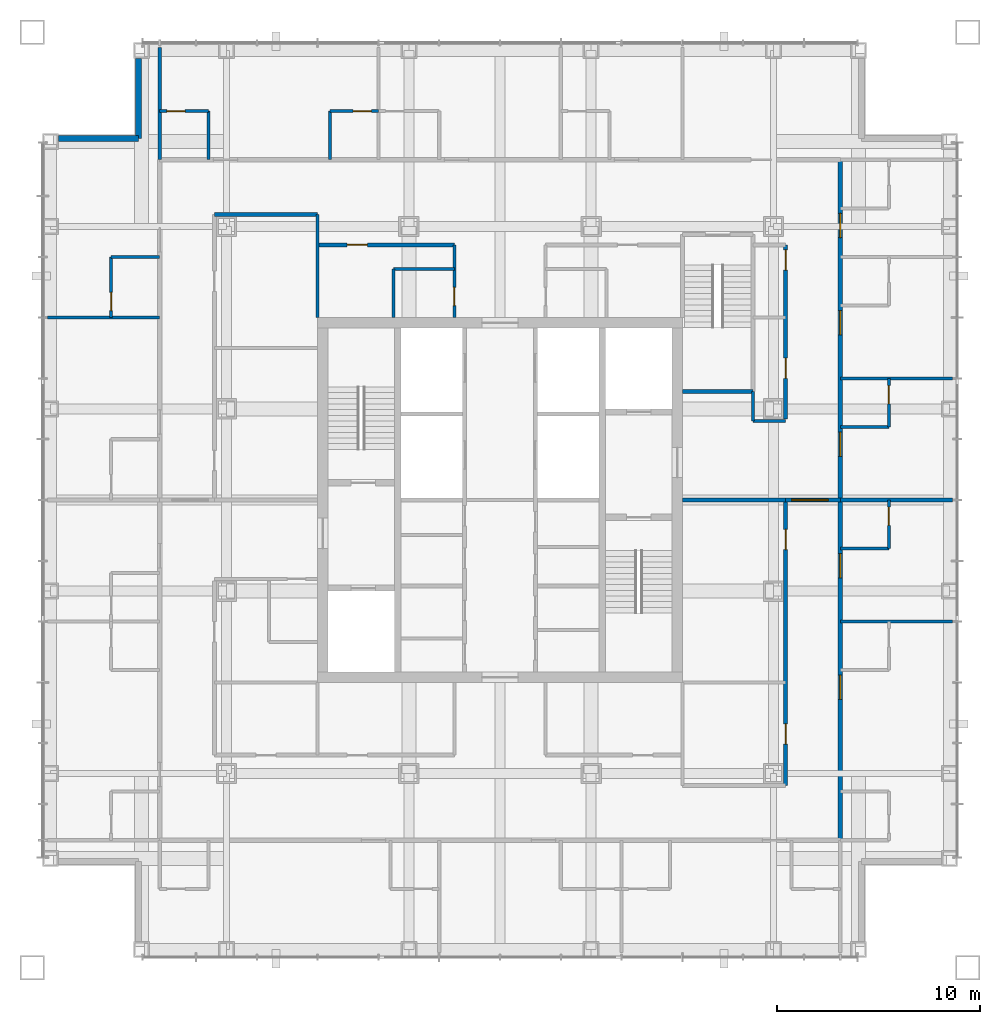
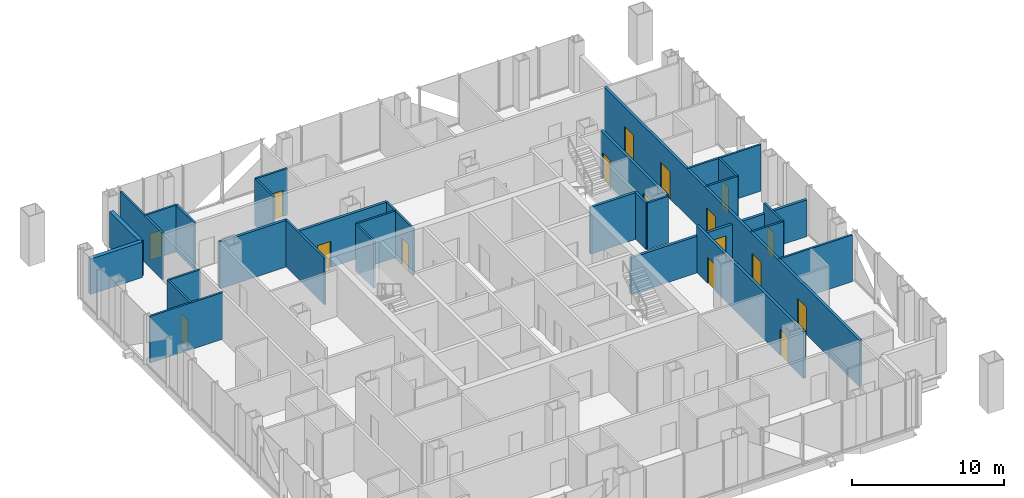
# One storey, part 10 of 17: 31 walls, 17 doors, 17 openings.
"""IFC4 building model written with IfcOpenShell, lengths in metres."""

from ifc_helpers import new_model, si_unit, direction, frame, frame_2d, origin, place, context, subcontext, project, spatial, rectangle, extrude, material, layer, layer_set, type_object, element, fill, save


model = new_model("IFC4")

# Units and contexts
model_context = context("Model", 3, precision=1e-05, world=origin(), true_north=direction((0.0, 1.0)))
body_context = subcontext(model_context, "Body", "Model", "MODEL_VIEW")
ifc_project = project(units=[si_unit("LENGTHUNIT", "METRE"), si_unit("AREAUNIT", "SQUARE_METRE"), si_unit("VOLUMEUNIT", "CUBIC_METRE"), si_unit("PLANEANGLEUNIT", "RADIAN"), si_unit("MASSUNIT", "GRAM", prefix="KILO")], contexts=[model_context])

# Site, building, storey
site_placement = place(None, origin())
site = spatial("IfcSite", under=ifc_project, at=site_placement, CompositionType="ELEMENT")
building_placement = place(site_placement, origin())
building = spatial("IfcBuilding", under=site, at=building_placement, Name="Malebo Sky Hospital", CompositionType="ELEMENT")
storey_placement = place(building_placement, frame((0.0, 0.0, 185.0)))
storey = spatial("IfcBuildingStorey", under=building, at=storey_placement, Name="L44", CompositionType="ELEMENT", Elevation=185.0)

# Wall
ifc_material_1 = material(Name="Gypsum board on steel studs", Category="steel")
ifc_layer_1 = layer(ifc_material_1, 0.199951171875)
ifc_layer_set_1 = layer_set([ifc_layer_1], Name="CORRIDOR WALL 200")
wall_type_1 = type_object("IfcWallType", Name="CORRIDOR WALL 200", PredefinedType="PARTITIONING", material=ifc_layer_set_1)
wall_1_placement = place(storey_placement, frame((45.89990234375, 76.10009765625, 0.0), z_axis=(0.0, 0.0, 1.0), x_axis=(1.0, 0.0, 0.0)))
element("IfcWall", 1, at=wall_1_placement, inside=storey, type_object=wall_type_1, Name="Corridor Wall 200 NCIK", PredefinedType="PARTITIONING", context=body_context, shape_type="SweptSolid", body=[
    extrude(rectangle(XDim=5.10009765625, YDim=0.199951171875, at=frame_2d((2.550048828125, 0.0))), origin(), (0.0, 0.0, 1.0), 3.75),
])

# Wall, opening, door
wall_2_placement = place(storey_placement, frame((51.0, 74.60009765625, 0.0), z_axis=(0.0, 0.0, 1.0), x_axis=(1.0, 0.0, 0.0)))
wall_2 = element("IfcWall", 2, at=wall_2_placement, inside=storey, type_object=wall_type_1, Name="Corridor Wall 200 NCI1", PredefinedType="PARTITIONING", context=body_context, shape_type="SweptSolid", body=[
    extrude(rectangle(XDim=6.75, YDim=0.199951171875, at=frame_2d((3.375, 0.0))), origin(), (0.0, 0.0, 1.0), 3.75),
])
opening_1_placement = place(wall_2_placement, frame((1.449951171875, 0.0, 0.0)))
opening_1 = element("IfcOpeningElement", 3, at=opening_1_placement, cuts=wall_2, Name="Opening D03", PredefinedType="OPENING", context=body_context, shape_type="SweptSolid", body=[
    extrude(rectangle(XDim=1.0, YDim=2.10009765625, at=frame_2d((0.5, 1.050048828125))), frame((0.0, 0.10986328125, 0.0), z_axis=(0.0, -1.0, 0.0), x_axis=(1.0, 0.0, 0.0)), (0.0, 0.0, 1.0), 0.219970703125),
])
ifc_material_2 = material(Name="Hardwood-faced door leaf in steel frame", Category="steel")
door_type_1 = type_object("IfcDoorType", Name="ROOM DOOR 1000", OperationType="SINGLE_SWING_LEFT", PredefinedType="DOOR", material=ifc_material_2)
door_1_placement = place(opening_1_placement, origin())
door_1 = element("IfcDoor", 4, at=door_1_placement, inside=storey, type_object=door_type_1, Name="Clean utility room door", OperationType="SINGLE_SWING_LEFT", OverallHeight=2.10009765625, OverallWidth=1.0, PredefinedType="DOOR", context=body_context, shape_type="SweptSolid", body=[
    extrude(rectangle(XDim=1.0, YDim=2.10009765625, at=frame_2d((0.5, 1.050048828125))), frame((0.0, 0.02490234375, 0.0), z_axis=(0.0, -1.0, 0.0), x_axis=(1.0, 0.0, 0.0)), (0.0, 0.0, 1.0), 0.050048828125),
])
fill(opening_1, door_1)

# Wall, openings, doors
wall_3_placement = place(storey_placement, frame((76.800048828125, 78.800048828125, 0.0), z_axis=(0.0, 0.0, 1.0), x_axis=(0.0, -1.0, 0.0)))
wall_3 = element("IfcWall", 5, at=wall_3_placement, inside=storey, type_object=wall_type_1, Name="Corridor Wall 200 ECO", PredefinedType="PARTITIONING", context=body_context, shape_type="SweptSolid", body=[
    extrude(rectangle(XDim=33.60009765625, YDim=0.199951171875, at=frame_2d((16.800048828125, 0.0))), origin(), (0.0, 0.0, 1.0), 3.75),
])
opening_2_placement = place(wall_3_placement, frame((2.64990234375, 0.0, 0.0)))
opening_2 = element("IfcOpeningElement", 6, at=opening_2_placement, cuts=wall_3, Name="Opening D01", PredefinedType="OPENING", context=body_context, shape_type="SweptSolid", body=[
    extrude(rectangle(XDim=1.199951171875, YDim=2.199951171875, at=frame_2d((0.60009765625, 1.10009765625))), frame((0.0, 0.10986328125, 0.0), z_axis=(0.0, -1.0, 0.0), x_axis=(1.0, 0.0, 0.0)), (0.0, 0.0, 1.0), 0.219970703125),
])
opening_3_placement = place(wall_3_placement, frame((7.449951171875, 0.0, 0.0)))
opening_3 = element("IfcOpeningElement", 7, at=opening_3_placement, cuts=wall_3, Name="Opening D01", PredefinedType="OPENING", context=body_context, shape_type="SweptSolid", body=[
    extrude(rectangle(XDim=1.199951171875, YDim=2.199951171875, at=frame_2d((0.60009765625, 1.10009765625))), frame((0.0, 0.10986328125, 0.0), z_axis=(0.0, -1.0, 0.0), x_axis=(1.0, 0.0, 0.0)), (0.0, 0.0, 1.0), 0.219970703125),
])
opening_4_placement = place(wall_3_placement, frame((13.449951171875, 0.0, 0.0)))
opening_4 = element("IfcOpeningElement", 8, at=opening_4_placement, cuts=wall_3, Name="Opening D01", PredefinedType="OPENING", context=body_context, shape_type="SweptSolid", body=[
    extrude(rectangle(XDim=1.199951171875, YDim=2.199951171875, at=frame_2d((0.60009765625, 1.10009765625))), frame((0.0, 0.10986328125, 0.0), z_axis=(0.0, -1.0, 0.0), x_axis=(1.0, 0.0, 0.0)), (0.0, 0.0, 1.0), 0.219970703125),
])
opening_5_placement = place(wall_3_placement, frame((19.449951171875, 0.0, 0.0)))
opening_5 = element("IfcOpeningElement", 9, at=opening_5_placement, cuts=wall_3, Name="Opening D01", PredefinedType="OPENING", context=body_context, shape_type="SweptSolid", body=[
    extrude(rectangle(XDim=1.199951171875, YDim=2.199951171875, at=frame_2d((0.60009765625, 1.10009765625))), frame((0.0, 0.10986328125, 0.0), z_axis=(0.0, -1.0, 0.0), x_axis=(1.0, 0.0, 0.0)), (0.0, 0.0, 1.0), 0.219970703125),
])
opening_6_placement = place(wall_3_placement, frame((25.449951171875, 0.0, 0.0)))
opening_6 = element("IfcOpeningElement", 10, at=opening_6_placement, cuts=wall_3, Name="Opening D01", PredefinedType="OPENING", context=body_context, shape_type="SweptSolid", body=[
    extrude(rectangle(XDim=1.199951171875, YDim=2.199951171875, at=frame_2d((0.60009765625, 1.10009765625))), frame((0.0, 0.10986328125, 0.0), z_axis=(0.0, -1.0, 0.0), x_axis=(1.0, 0.0, 0.0)), (0.0, 0.0, 1.0), 0.219970703125),
])
door_type_2 = type_object("IfcDoorType", Name="BED DOOR 1200", OperationType="SINGLE_SWING_LEFT", PredefinedType="DOOR", material=ifc_material_2)
door_2_placement = place(opening_2_placement, origin())
door_2 = element("IfcDoor", 11, at=door_2_placement, inside=storey, type_object=door_type_2, Name="Single bed room door", OperationType="SINGLE_SWING_LEFT", OverallHeight=2.199951171875, OverallWidth=1.199951171875, PredefinedType="DOOR", context=body_context, shape_type="SweptSolid", body=[
    extrude(rectangle(XDim=1.199951171875, YDim=2.199951171875, at=frame_2d((0.60009765625, 1.10009765625))), frame((0.0, 0.02490234375, 0.0), z_axis=(0.0, -1.0, 0.0), x_axis=(1.0, 0.0, 0.0)), (0.0, 0.0, 1.0), 0.050048828125),
])
fill(opening_2, door_2)
door_3_placement = place(opening_3_placement, origin())
door_3 = element("IfcDoor", 12, at=door_3_placement, inside=storey, type_object=door_type_2, Name="Single bed room door", OperationType="SINGLE_SWING_LEFT", OverallHeight=2.199951171875, OverallWidth=1.199951171875, PredefinedType="DOOR", context=body_context, shape_type="SweptSolid", body=[
    extrude(rectangle(XDim=1.199951171875, YDim=2.199951171875, at=frame_2d((0.60009765625, 1.10009765625))), frame((0.0, 0.02490234375, 0.0), z_axis=(0.0, -1.0, 0.0), x_axis=(1.0, 0.0, 0.0)), (0.0, 0.0, 1.0), 0.050048828125),
])
fill(opening_3, door_3)
door_4_placement = place(opening_4_placement, origin())
door_4 = element("IfcDoor", 13, at=door_4_placement, inside=storey, type_object=door_type_2, Name="Single bed room door", OperationType="SINGLE_SWING_LEFT", OverallHeight=2.199951171875, OverallWidth=1.199951171875, PredefinedType="DOOR", context=body_context, shape_type="SweptSolid", body=[
    extrude(rectangle(XDim=1.199951171875, YDim=2.199951171875, at=frame_2d((0.60009765625, 1.10009765625))), frame((0.0, 0.02490234375, 0.0), z_axis=(0.0, -1.0, 0.0), x_axis=(1.0, 0.0, 0.0)), (0.0, 0.0, 1.0), 0.050048828125),
])
fill(opening_4, door_4)
door_5_placement = place(opening_5_placement, origin())
door_5 = element("IfcDoor", 14, at=door_5_placement, inside=storey, type_object=door_type_2, Name="Single bed room door", OperationType="SINGLE_SWING_LEFT", OverallHeight=2.199951171875, OverallWidth=1.199951171875, PredefinedType="DOOR", context=body_context, shape_type="SweptSolid", body=[
    extrude(rectangle(XDim=1.199951171875, YDim=2.199951171875, at=frame_2d((0.60009765625, 1.10009765625))), frame((0.0, 0.02490234375, 0.0), z_axis=(0.0, -1.0, 0.0), x_axis=(1.0, 0.0, 0.0)), (0.0, 0.0, 1.0), 0.050048828125),
])
fill(opening_5, door_5)
door_6_placement = place(opening_6_placement, origin())
door_6 = element("IfcDoor", 15, at=door_6_placement, inside=storey, type_object=door_type_2, Name="Four-bed bay door", OperationType="SINGLE_SWING_LEFT", OverallHeight=2.199951171875, OverallWidth=1.199951171875, PredefinedType="DOOR", context=body_context, shape_type="SweptSolid", body=[
    extrude(rectangle(XDim=1.199951171875, YDim=2.199951171875, at=frame_2d((0.60009765625, 1.10009765625))), frame((0.0, 0.02490234375, 0.0), z_axis=(0.0, -1.0, 0.0), x_axis=(1.0, 0.0, 0.0)), (0.0, 0.0, 1.0), 0.050048828125),
])
fill(opening_6, door_6)

wall_4_placement = place(storey_placement, frame((74.10009765625, 74.60009765625, 0.0), z_axis=(0.0, 0.0, 1.0), x_axis=(0.0, -1.0, 0.0)))
wall_4 = element("IfcWall", 16, at=wall_4_placement, inside=storey, type_object=wall_type_1, Name="Corridor Wall 200 ECI1", PredefinedType="PARTITIONING", context=body_context, shape_type="SweptSolid", body=[
    extrude(rectangle(XDim=8.60009765625, YDim=0.199951171875, at=frame_2d((4.300048828125, 0.0))), origin(), (0.0, 0.0, 1.0), 3.75),
])
opening_7_placement = place(wall_4_placement, frame((0.25, 0.0, 0.0)))
opening_7 = element("IfcOpeningElement", 17, at=opening_7_placement, cuts=wall_4, Name="Opening D03", PredefinedType="OPENING", context=body_context, shape_type="SweptSolid", body=[
    extrude(rectangle(XDim=1.0, YDim=2.10009765625, at=frame_2d((0.5, 1.050048828125))), frame((0.0, 0.10986328125, 0.0), z_axis=(0.0, -1.0, 0.0), x_axis=(1.0, 0.0, 0.0)), (0.0, 0.0, 1.0), 0.219970703125),
])
opening_8_placement = place(wall_4_placement, frame((5.60009765625, 0.0, 0.0)))
opening_8 = element("IfcOpeningElement", 18, at=opening_8_placement, cuts=wall_4, Name="Opening D03", PredefinedType="OPENING", context=body_context, shape_type="SweptSolid", body=[
    extrude(rectangle(XDim=1.0, YDim=2.10009765625, at=frame_2d((0.5, 1.050048828125))), frame((0.0, 0.10986328125, 0.0), z_axis=(0.0, -1.0, 0.0), x_axis=(1.0, 0.0, 0.0)), (0.0, 0.0, 1.0), 0.219970703125),
])
door_7_placement = place(opening_7_placement, origin())
door_7 = element("IfcDoor", 19, at=door_7_placement, inside=storey, type_object=door_type_1, Name="Ward pantry door", OperationType="SINGLE_SWING_LEFT", OverallHeight=2.10009765625, OverallWidth=1.0, PredefinedType="DOOR", context=body_context, shape_type="SweptSolid", body=[
    extrude(rectangle(XDim=1.0, YDim=2.10009765625, at=frame_2d((0.5, 1.050048828125))), frame((0.0, 0.02490234375, 0.0), z_axis=(0.0, -1.0, 0.0), x_axis=(1.0, 0.0, 0.0)), (0.0, 0.0, 1.0), 0.050048828125),
])
fill(opening_7, door_7)
door_8_placement = place(opening_8_placement, origin())
door_8 = element("IfcDoor", 20, at=door_8_placement, inside=storey, type_object=door_type_1, Name="Equipment store door", OperationType="SINGLE_SWING_LEFT", OverallHeight=2.10009765625, OverallWidth=1.0, PredefinedType="DOOR", context=body_context, shape_type="SweptSolid", body=[
    extrude(rectangle(XDim=1.0, YDim=2.10009765625, at=frame_2d((0.5, 1.050048828125))), frame((0.0, 0.02490234375, 0.0), z_axis=(0.0, -1.0, 0.0), x_axis=(1.0, 0.0, 0.0)), (0.0, 0.0, 1.0), 0.050048828125),
])
fill(opening_8, door_8)

wall_5_placement = place(storey_placement, frame((74.10009765625, 62.0, 0.0), z_axis=(0.0, 0.0, 1.0), x_axis=(0.0, -1.0, 0.0)))
wall_5 = element("IfcWall", 21, at=wall_5_placement, inside=storey, type_object=wall_type_1, Name="Corridor Wall 200 ECI2", PredefinedType="PARTITIONING", context=body_context, shape_type="SweptSolid", body=[
    extrude(rectangle(XDim=14.10009765625, YDim=0.199951171875, at=frame_2d((7.050048828125, 0.0))), origin(), (0.0, 0.0, 1.0), 3.75),
])
opening_9_placement = place(wall_5_placement, frame((1.449951171875, 0.0, 0.0)))
opening_9 = element("IfcOpeningElement", 22, at=opening_9_placement, cuts=wall_5, Name="Opening D03", PredefinedType="OPENING", context=body_context, shape_type="SweptSolid", body=[
    extrude(rectangle(XDim=1.0, YDim=2.10009765625, at=frame_2d((0.5, 1.050048828125))), frame((0.0, 0.10986328125, 0.0), z_axis=(0.0, -1.0, 0.0), x_axis=(1.0, 0.0, 0.0)), (0.0, 0.0, 1.0), 0.219970703125),
])
opening_10_placement = place(wall_5_placement, frame((11.050048828125, 0.0, 0.0)))
opening_10 = element("IfcOpeningElement", 23, at=opening_10_placement, cuts=wall_5, Name="Opening D03", PredefinedType="OPENING", context=body_context, shape_type="SweptSolid", body=[
    extrude(rectangle(XDim=1.0, YDim=2.10009765625, at=frame_2d((0.5, 1.050048828125))), frame((0.0, 0.10986328125, 0.0), z_axis=(0.0, -1.0, 0.0), x_axis=(1.0, 0.0, 0.0)), (0.0, 0.0, 1.0), 0.219970703125),
])
door_9_placement = place(opening_9_placement, origin())
door_9 = element("IfcDoor", 24, at=door_9_placement, inside=storey, type_object=door_type_1, Name="Nurse station door", OperationType="SINGLE_SWING_LEFT", OverallHeight=2.10009765625, OverallWidth=1.0, PredefinedType="DOOR", context=body_context, shape_type="SweptSolid", body=[
    extrude(rectangle(XDim=1.0, YDim=2.10009765625, at=frame_2d((0.5, 1.050048828125))), frame((0.0, 0.02490234375, 0.0), z_axis=(0.0, -1.0, 0.0), x_axis=(1.0, 0.0, 0.0)), (0.0, 0.0, 1.0), 0.050048828125),
])
fill(opening_9, door_9)
door_10_placement = place(opening_10_placement, origin())
door_10 = element("IfcDoor", 25, at=door_10_placement, inside=storey, type_object=door_type_1, Name="Ward office door", OperationType="SINGLE_SWING_RIGHT", OverallHeight=2.10009765625, OverallWidth=1.0, PredefinedType="DOOR", context=body_context, shape_type="SweptSolid", body=[
    extrude(rectangle(XDim=1.0, YDim=2.10009765625, at=frame_2d((0.5, 1.050048828125))), frame((0.0, 0.02490234375, 0.0), z_axis=(0.0, -1.0, 0.0), x_axis=(1.0, 0.0, 0.0)), (0.0, 0.0, 1.0), 0.050048828125),
])
fill(opening_10, door_10)

# Walls
ifc_material_3 = material(Name="Anodised aluminium rainscreen on steel framing", Category="steel")
ifc_layer_2 = layer(ifc_material_3, 0.300048828125)
ifc_layer_set_2 = layer_set([ifc_layer_2], Name="NOTCH RAINSCREEN WALL 300")
wall_type_2 = type_object("IfcWallType", Name="NOTCH RAINSCREEN WALL 300", PredefinedType="ELEMENTEDWALL", material=ifc_layer_set_2)
for number, where, z_axis, x_axis, name in (
    (26, (38.199951171875, 79.85009765625, 0.0), (0.0, 0.0, 1.0), (1.0, 0.0, 0.0), "Notch rainscreen wall W1 L44"),
    (27, (42.14990234375, 79.85009765625, 0.0), (0.0, 0.0, 1.0), (0.0, 1.0, 0.0), "Notch rainscreen wall W2 L44"),
):
    element("IfcWall", number, at=place(storey_placement, frame(where, z_axis=z_axis, x_axis=x_axis)), inside=storey, type_object=wall_type_2, Name=name, PredefinedType="ELEMENTEDWALL", context=body_context, shape_type="SweptSolid", body=[
        extrude(rectangle(XDim=3.949951171875, YDim=0.300048828125, at=frame_2d((1.97509765625, 0.0))), origin(), (0.0, 0.0, 1.0), 2.85009765625),
    ])
ifc_layer_3 = layer(ifc_material_1, 0.14990234375)
ifc_layer_set_3 = layer_set([ifc_layer_3], Name="PARTITION 150")
wall_type_3 = type_object("IfcWallType", Name="PARTITION 150", PredefinedType="PARTITIONING", material=ifc_layer_set_3)
wall_6_placement = place(storey_placement, frame((43.199951171875, 78.800048828125, 0.0), z_axis=(0.0, 0.0, 1.0), x_axis=(0.0, 1.0, 0.0)))
element("IfcWall", 28, at=wall_6_placement, inside=storey, type_object=wall_type_3, Name="Partition 150 NP0", PredefinedType="PARTITIONING", context=body_context, shape_type="SweptSolid", body=[
    extrude(rectangle(XDim=5.550048828125, YDim=0.14990234375, at=frame_2d((2.77490234375, 0.0))), origin(), (0.0, 0.0, 1.0), 3.75),
])

# Wall, opening, door
wall_7_placement = place(storey_placement, frame((43.199951171875, 81.199951171875, 0.0), z_axis=(0.0, 0.0, 1.0), x_axis=(1.0, 0.0, 0.0)))
wall_7 = element("IfcWall", 29, at=wall_7_placement, inside=storey, type_object=wall_type_3, Name="Partition 150 NE0F", PredefinedType="PARTITIONING", context=body_context, shape_type="SweptSolid", body=[
    extrude(rectangle(XDim=2.400146484375, YDim=0.14990234375, at=frame_2d((1.2001953125, 0.0))), origin(), (0.0, 0.0, 1.0), 3.75),
])
opening_11_placement = place(wall_7_placement, frame((0.35009765625, 0.0, 0.0)))
opening_11 = element("IfcOpeningElement", 30, at=opening_11_placement, cuts=wall_7, Name="Opening D02", PredefinedType="OPENING", context=body_context, shape_type="SweptSolid", body=[
    extrude(rectangle(XDim=0.89990234375, YDim=2.10009765625, at=frame_2d((0.449951171875, 1.050048828125))), frame((0.0, 0.0849609375, 0.0), z_axis=(0.0, -1.0, 0.0), x_axis=(1.0, 0.0, 0.0)), (0.0, 0.0, 1.0), 0.169921875),
])
door_type_3 = type_object("IfcDoorType", Name="EN-SUITE DOOR 900", OperationType="SINGLE_SWING_LEFT", PredefinedType="DOOR", material=ifc_material_2)
door_11_placement = place(opening_11_placement, origin())
door_11 = element("IfcDoor", 31, at=door_11_placement, inside=storey, type_object=door_type_3, Name="En-suite door", OperationType="SINGLE_SWING_LEFT", OverallHeight=2.10009765625, OverallWidth=0.89990234375, PredefinedType="DOOR", context=body_context, shape_type="SweptSolid", body=[
    extrude(rectangle(XDim=0.89990234375, YDim=2.10009765625, at=frame_2d((0.449951171875, 1.050048828125))), frame((0.0, 0.02490234375, 0.0), z_axis=(0.0, -1.0, 0.0), x_axis=(1.0, 0.0, 0.0)), (0.0, 0.0, 1.0), 0.050048828125),
])
fill(opening_11, door_11)

# Wall
wall_8_placement = place(storey_placement, frame((45.60009765625, 78.800048828125, 0.0), z_axis=(0.0, 0.0, 1.0), x_axis=(0.0, 1.0, 0.0)))
element("IfcWall", 32, at=wall_8_placement, inside=storey, type_object=wall_type_3, Name="Partition 150 NE0S", PredefinedType="PARTITIONING", context=body_context, shape_type="SweptSolid", body=[
    extrude(rectangle(XDim=2.39990234375, YDim=0.14990234375, at=frame_2d((1.199951171875, 0.0))), origin(), (0.0, 0.0, 1.0), 3.75),
])

# Wall, opening, door
wall_9_placement = place(storey_placement, frame((51.60009765625, 81.199951171875, 0.0), z_axis=(0.0, 0.0, 1.0), x_axis=(1.0, 0.0, 0.0)))
wall_9 = element("IfcWall", 33, at=wall_9_placement, inside=storey, type_object=wall_type_3, Name="Partition 150 NG0F", PredefinedType="PARTITIONING", context=body_context, shape_type="SweptSolid", body=[
    extrude(rectangle(XDim=2.39990234375, YDim=0.14990234375, at=frame_2d((1.199951171875, 0.0))), origin(), (0.0, 0.0, 1.0), 3.75),
])
opening_12_placement = place(wall_9_placement, frame((1.14990234375, 0.0, 0.0)))
opening_12 = element("IfcOpeningElement", 34, at=opening_12_placement, cuts=wall_9, Name="Opening D02", PredefinedType="OPENING", context=body_context, shape_type="SweptSolid", body=[
    extrude(rectangle(XDim=0.89990234375, YDim=2.10009765625, at=frame_2d((0.449951171875, 1.050048828125))), frame((0.0, 0.0849609375, 0.0), z_axis=(0.0, -1.0, 0.0), x_axis=(1.0, 0.0, 0.0)), (0.0, 0.0, 1.0), 0.169921875),
])
door_12_placement = place(opening_12_placement, origin())
door_12 = element("IfcDoor", 35, at=door_12_placement, inside=storey, type_object=door_type_3, Name="En-suite door", OperationType="SINGLE_SWING_RIGHT", OverallHeight=2.10009765625, OverallWidth=0.89990234375, PredefinedType="DOOR", context=body_context, shape_type="SweptSolid", body=[
    extrude(rectangle(XDim=0.89990234375, YDim=2.10009765625, at=frame_2d((0.449951171875, 1.050048828125))), frame((0.0, 0.02490234375, 0.0), z_axis=(0.0, -1.0, 0.0), x_axis=(1.0, 0.0, 0.0)), (0.0, 0.0, 1.0), 0.050048828125),
])
fill(opening_12, door_12)

# Walls
wall_10_placement = place(storey_placement, frame((51.60009765625, 78.800048828125, 0.0), z_axis=(0.0, 0.0, 1.0), x_axis=(0.0, 1.0, 0.0)))
element("IfcWall", 36, at=wall_10_placement, inside=storey, type_object=wall_type_3, Name="Partition 150 NG0S", PredefinedType="PARTITIONING", context=body_context, shape_type="SweptSolid", body=[
    extrude(rectangle(XDim=2.39990234375, YDim=0.14990234375, at=frame_2d((1.199951171875, 0.0))), origin(), (0.0, 0.0, 1.0), 3.75),
])
wall_11_placement = place(storey_placement, frame((51.0, 71.0, 0.0), z_axis=(0.0, 0.0, 1.0), x_axis=(0.0, 1.0, 0.0)))
element("IfcWall", 37, at=wall_11_placement, inside=storey, type_object=wall_type_3, Name="Partition 150 NSP0", PredefinedType="PARTITIONING", context=body_context, shape_type="SweptSolid", body=[
    extrude(rectangle(XDim=5.10009765625, YDim=0.14990234375, at=frame_2d((2.550048828125, 0.0))), origin(), (0.0, 0.0, 1.0), 3.75),
])

# Wall, opening, door
wall_12_placement = place(storey_placement, frame((57.75, 71.0, 0.0), z_axis=(0.0, 0.0, 1.0), x_axis=(0.0, 1.0, 0.0)))
wall_12 = element("IfcWall", 38, at=wall_12_placement, inside=storey, type_object=wall_type_3, Name="Partition 150 NSPA", PredefinedType="PARTITIONING", context=body_context, shape_type="SweptSolid", body=[
    extrude(rectangle(XDim=3.60009765625, YDim=0.14990234375, at=frame_2d((1.800048828125, 0.0))), origin(), (0.0, 0.0, 1.0), 3.75),
])
opening_13_placement = place(wall_12_placement, frame((0.60009765625, 0.0, 0.0)))
opening_13 = element("IfcOpeningElement", 39, at=opening_13_placement, cuts=wall_12, Name="Opening D04", PredefinedType="OPENING", context=body_context, shape_type="SweptSolid", body=[
    extrude(rectangle(XDim=0.89990234375, YDim=2.10009765625, at=frame_2d((0.449951171875, 1.050048828125))), frame((0.0, 0.0849609375, 0.0), z_axis=(0.0, -1.0, 0.0), x_axis=(1.0, 0.0, 0.0)), (0.0, 0.0, 1.0), 0.169921875),
])
door_type_4 = type_object("IfcDoorType", Name="ROOM DOOR 900", OperationType="SINGLE_SWING_LEFT", PredefinedType="DOOR", material=ifc_material_2)
door_13_placement = place(opening_13_placement, origin())
door_13 = element("IfcDoor", 40, at=door_13_placement, inside=storey, type_object=door_type_4, Name="Staff WC door", OperationType="SINGLE_SWING_LEFT", OverallHeight=2.10009765625, OverallWidth=0.89990234375, PredefinedType="DOOR", context=body_context, shape_type="SweptSolid", body=[
    extrude(rectangle(XDim=0.89990234375, YDim=2.10009765625, at=frame_2d((0.449951171875, 1.050048828125))), frame((0.0, 0.02490234375, 0.0), z_axis=(0.0, -1.0, 0.0), x_axis=(1.0, 0.0, 0.0)), (0.0, 0.0, 1.0), 0.050048828125),
])
fill(opening_13, door_13)

# Walls
wall_13_placement = place(storey_placement, frame((54.75, 73.39990234375, 0.0), z_axis=(0.0, 0.0, 1.0), x_axis=(1.0, 0.0, 0.0)))
element("IfcWall", 41, at=wall_13_placement, inside=storey, type_object=wall_type_3, Name="Partition 150 NSX0", PredefinedType="PARTITIONING", context=body_context, shape_type="SweptSolid", body=[
    extrude(rectangle(XDim=3.0, YDim=0.14990234375, at=frame_2d((1.5, 0.0))), origin(), (0.0, 0.0, 1.0), 3.75),
])
wall_14_placement = place(storey_placement, frame((54.75, 71.0, 0.0), z_axis=(0.0, 0.0, 1.0), x_axis=(0.0, 1.0, 0.0)))
element("IfcWall", 42, at=wall_14_placement, inside=storey, type_object=wall_type_3, Name="Partition 150 NSY0", PredefinedType="PARTITIONING", context=body_context, shape_type="SweptSolid", body=[
    extrude(rectangle(XDim=2.39990234375, YDim=0.14990234375, at=frame_2d((1.199951171875, 0.0))), origin(), (0.0, 0.0, 1.0), 3.75),
])
wall_15_placement = place(storey_placement, frame((43.199951171875, 71.0, 0.0), z_axis=(0.0, 0.0, 1.0), x_axis=(-1.0, 0.0, 0.0)))
element("IfcWall", 43, at=wall_15_placement, inside=storey, type_object=wall_type_3, Name="Partition 150 WP+9.0", PredefinedType="PARTITIONING", context=body_context, shape_type="SweptSolid", body=[
    extrude(rectangle(XDim=5.550048828125, YDim=0.14990234375, at=frame_2d((2.77490234375, 0.0))), origin(), (0.0, 0.0, 1.0), 3.75),
])

# Wall, opening, door
wall_16_placement = place(storey_placement, frame((40.800048828125, 71.0, 0.0), z_axis=(0.0, 0.0, 1.0), x_axis=(0.0, 1.0, 0.0)))
wall_16 = element("IfcWall", 44, at=wall_16_placement, inside=storey, type_object=wall_type_3, Name="Partition 150 WE3F", PredefinedType="PARTITIONING", context=body_context, shape_type="SweptSolid", body=[
    extrude(rectangle(XDim=3.0, YDim=0.14990234375, at=frame_2d((1.5, 0.0))), origin(), (0.0, 0.0, 1.0), 3.75),
])
opening_14_placement = place(wall_16_placement, frame((0.35009765625, 0.0, 0.0)))
opening_14 = element("IfcOpeningElement", 45, at=opening_14_placement, cuts=wall_16, Name="Opening D02", PredefinedType="OPENING", context=body_context, shape_type="SweptSolid", body=[
    extrude(rectangle(XDim=0.89990234375, YDim=2.10009765625, at=frame_2d((0.449951171875, 1.050048828125))), frame((0.0, 0.0849609375, 0.0), z_axis=(0.0, -1.0, 0.0), x_axis=(1.0, 0.0, 0.0)), (0.0, 0.0, 1.0), 0.169921875),
])
door_14_placement = place(opening_14_placement, origin())
door_14 = element("IfcDoor", 46, at=door_14_placement, inside=storey, type_object=door_type_3, Name="En-suite door", OperationType="SINGLE_SWING_LEFT", OverallHeight=2.10009765625, OverallWidth=0.89990234375, PredefinedType="DOOR", context=body_context, shape_type="SweptSolid", body=[
    extrude(rectangle(XDim=0.89990234375, YDim=2.10009765625, at=frame_2d((0.449951171875, 1.050048828125))), frame((0.0, 0.02490234375, 0.0), z_axis=(0.0, -1.0, 0.0), x_axis=(1.0, 0.0, 0.0)), (0.0, 0.0, 1.0), 0.050048828125),
])
fill(opening_14, door_14)

# Walls
wall_17_placement = place(storey_placement, frame((43.199951171875, 74.0, 0.0), z_axis=(0.0, 0.0, 1.0), x_axis=(-1.0, 0.0, 0.0)))
element("IfcWall", 47, at=wall_17_placement, inside=storey, type_object=wall_type_3, Name="Partition 150 WE3S", PredefinedType="PARTITIONING", context=body_context, shape_type="SweptSolid", body=[
    extrude(rectangle(XDim=2.39990234375, YDim=0.14990234375, at=frame_2d((1.199951171875, 0.0))), origin(), (0.0, 0.0, 1.0), 3.75),
])
for number, where, z_axis, x_axis, name in (
    (48, (76.800048828125, 68.0, 0.0), (0.0, 0.0, 1.0), (1.0, 0.0, 0.0), "Partition 150 EP-6.0"),
    (49, (76.800048828125, 56.0, 0.0), (0.0, 0.0, 1.0), (1.0, 0.0, 0.0), "Partition 150 EP+6.0"),
):
    element("IfcWall", number, at=place(storey_placement, frame(where, z_axis=z_axis, x_axis=x_axis)), inside=storey, type_object=wall_type_3, Name=name, PredefinedType="PARTITIONING", context=body_context, shape_type="SweptSolid", body=[
        extrude(rectangle(XDim=5.550048828125, YDim=0.14990234375, at=frame_2d((2.77490234375, 0.0))), origin(), (0.0, 0.0, 1.0), 3.75),
    ])

# Wall, opening, door
wall_18_placement = place(storey_placement, frame((79.199951171875, 68.0, 0.0), z_axis=(0.0, 0.0, 1.0), x_axis=(0.0, -1.0, 0.0)))
wall_18 = element("IfcWall", 50, at=wall_18_placement, inside=storey, type_object=wall_type_3, Name="Partition 150 EE2F", PredefinedType="PARTITIONING", context=body_context, shape_type="SweptSolid", body=[
    extrude(rectangle(XDim=2.39990234375, YDim=0.14990234375, at=frame_2d((1.199951171875, 0.0))), origin(), (0.0, 0.0, 1.0), 3.75),
])
opening_15_placement = place(wall_18_placement, frame((0.35009765625, 0.0, 0.0)))
opening_15 = element("IfcOpeningElement", 51, at=opening_15_placement, cuts=wall_18, Name="Opening D02", PredefinedType="OPENING", context=body_context, shape_type="SweptSolid", body=[
    extrude(rectangle(XDim=0.89990234375, YDim=2.10009765625, at=frame_2d((0.449951171875, 1.050048828125))), frame((0.0, 0.0849609375, 0.0), z_axis=(0.0, -1.0, 0.0), x_axis=(1.0, 0.0, 0.0)), (0.0, 0.0, 1.0), 0.169921875),
])
door_15_placement = place(opening_15_placement, origin())
door_15 = element("IfcDoor", 52, at=door_15_placement, inside=storey, type_object=door_type_3, Name="En-suite door", OperationType="SINGLE_SWING_LEFT", OverallHeight=2.10009765625, OverallWidth=0.89990234375, PredefinedType="DOOR", context=body_context, shape_type="SweptSolid", body=[
    extrude(rectangle(XDim=0.89990234375, YDim=2.10009765625, at=frame_2d((0.449951171875, 1.050048828125))), frame((0.0, 0.02490234375, 0.0), z_axis=(0.0, -1.0, 0.0), x_axis=(1.0, 0.0, 0.0)), (0.0, 0.0, 1.0), 0.050048828125),
])
fill(opening_15, door_15)

# Wall
wall_19_placement = place(storey_placement, frame((76.800048828125, 65.60009765625, 0.0), z_axis=(0.0, 0.0, 1.0), x_axis=(1.0, 0.0, 0.0)))
element("IfcWall", 53, at=wall_19_placement, inside=storey, type_object=wall_type_3, Name="Partition 150 EE2S", PredefinedType="PARTITIONING", context=body_context, shape_type="SweptSolid", body=[
    extrude(rectangle(XDim=2.39990234375, YDim=0.14990234375, at=frame_2d((1.199951171875, 0.0))), origin(), (0.0, 0.0, 1.0), 3.75),
])

# Wall, opening, door
wall_20_placement = place(storey_placement, frame((79.199951171875, 62.0, 0.0), z_axis=(0.0, 0.0, 1.0), x_axis=(0.0, -1.0, 0.0)))
wall_20 = element("IfcWall", 54, at=wall_20_placement, inside=storey, type_object=wall_type_3, Name="Partition 150 EE3F", PredefinedType="PARTITIONING", context=body_context, shape_type="SweptSolid", body=[
    extrude(rectangle(XDim=2.39990234375, YDim=0.14990234375, at=frame_2d((1.199951171875, 0.0))), origin(), (0.0, 0.0, 1.0), 3.75),
])
opening_16_placement = place(wall_20_placement, frame((0.35009765625, 0.0, 0.0)))
opening_16 = element("IfcOpeningElement", 55, at=opening_16_placement, cuts=wall_20, Name="Opening D02", PredefinedType="OPENING", context=body_context, shape_type="SweptSolid", body=[
    extrude(rectangle(XDim=0.89990234375, YDim=2.10009765625, at=frame_2d((0.449951171875, 1.050048828125))), frame((0.0, 0.0849609375, 0.0), z_axis=(0.0, -1.0, 0.0), x_axis=(1.0, 0.0, 0.0)), (0.0, 0.0, 1.0), 0.169921875),
])
door_16_placement = place(opening_16_placement, origin())
door_16 = element("IfcDoor", 56, at=door_16_placement, inside=storey, type_object=door_type_3, Name="En-suite door", OperationType="SINGLE_SWING_LEFT", OverallHeight=2.10009765625, OverallWidth=0.89990234375, PredefinedType="DOOR", context=body_context, shape_type="SweptSolid", body=[
    extrude(rectangle(XDim=0.89990234375, YDim=2.10009765625, at=frame_2d((0.449951171875, 1.050048828125))), frame((0.0, 0.02490234375, 0.0), z_axis=(0.0, -1.0, 0.0), x_axis=(1.0, 0.0, 0.0)), (0.0, 0.0, 1.0), 0.050048828125),
])
fill(opening_16, door_16)

# Walls
wall_21_placement = place(storey_placement, frame((76.800048828125, 59.60009765625, 0.0), z_axis=(0.0, 0.0, 1.0), x_axis=(1.0, 0.0, 0.0)))
element("IfcWall", 57, at=wall_21_placement, inside=storey, type_object=wall_type_3, Name="Partition 150 EE3S", PredefinedType="PARTITIONING", context=body_context, shape_type="SweptSolid", body=[
    extrude(rectangle(XDim=2.39990234375, YDim=0.14990234375, at=frame_2d((1.199951171875, 0.0))), origin(), (0.0, 0.0, 1.0), 3.75),
])
wall_22_placement = place(storey_placement, frame((72.5, 65.89990234375, 0.0), z_axis=(0.0, 0.0, 1.0), x_axis=(1.0, 0.0, 0.0)))
element("IfcWall", 58, at=wall_22_placement, inside=storey, type_object=wall_type_3, Name="Partition 150 ESPA", PredefinedType="PARTITIONING", context=body_context, shape_type="SweptSolid", body=[
    extrude(rectangle(XDim=1.60009765625, YDim=0.14990234375, at=frame_2d((0.800048828125, 0.0))), origin(), (0.0, 0.0, 1.0), 3.75),
])
wall_23_placement = place(storey_placement, frame((72.5, 65.89990234375, 0.0), z_axis=(0.0, 0.0, 1.0), x_axis=(0.0, 1.0, 0.0)))
element("IfcWall", 59, at=wall_23_placement, inside=storey, type_object=wall_type_3, Name="Partition 150 ST3C", PredefinedType="PARTITIONING", context=body_context, shape_type="SweptSolid", body=[
    extrude(rectangle(XDim=1.4501953125, YDim=0.14990234375, at=frame_2d((0.72509765625, 0.0))), origin(), (0.0, 0.0, 1.0), 3.75),
])
ifc_material_4 = material(Name="Concrete blockwork", Category="masonry")
ifc_layer_4 = layer(ifc_material_4, 0.199951171875)
ifc_layer_set_4 = layer_set([ifc_layer_4], Name="SMOKE BARRIER WALL 200")
wall_type_4 = type_object("IfcWallType", Name="SMOKE BARRIER WALL 200", PredefinedType="SOLIDWALL", material=ifc_layer_set_4)
wall_24_placement = place(storey_placement, frame((76.800048828125, 62.0, 0.0), z_axis=(0.0, 0.0, 1.0), x_axis=(1.0, 0.0, 0.0)))
element("IfcWall", 60, at=wall_24_placement, inside=storey, type_object=wall_type_4, Name="Smoke Barrier Wall 200 EP+0.0", PredefinedType="SOLIDWALL", context=body_context, shape_type="SweptSolid", body=[
    extrude(rectangle(XDim=5.550048828125, YDim=0.199951171875, at=frame_2d((2.77490234375, 0.0))), origin(), (0.0, 0.0, 1.0), 2.949951171875),
])
wall_25_placement = place(storey_placement, frame((69.0, 62.0, 0.0), z_axis=(0.0, 0.0, 1.0), x_axis=(1.0, 0.0, 0.0)))
element("IfcWall", 61, at=wall_25_placement, inside=storey, type_object=wall_type_4, Name="Smoke Barrier Wall 200 ESPB", PredefinedType="SOLIDWALL", context=body_context, shape_type="SweptSolid", body=[
    extrude(rectangle(XDim=5.10009765625, YDim=0.199951171875, at=frame_2d((2.550048828125, 0.0))), origin(), (0.0, 0.0, 1.0), 2.949951171875),
])

# Wall, opening, door
wall_26_placement = place(storey_placement, frame((74.10009765625, 62.0, 0.0), z_axis=(0.0, 0.0, 1.0), x_axis=(1.0, 0.0, 0.0)))
wall_26 = element("IfcWall", 62, at=wall_26_placement, inside=storey, type_object=wall_type_4, Name="Smoke Barrier Wall 200 ESB", PredefinedType="SOLIDWALL", context=body_context, shape_type="SweptSolid", body=[
    extrude(rectangle(XDim=2.699951171875, YDim=0.199951171875, at=frame_2d((1.35009765625, 0.0))), origin(), (0.0, 0.0, 1.0), 2.949951171875),
])
opening_17_placement = place(wall_26_placement, frame((0.300048828125, 0.0, 0.0)))
opening_17 = element("IfcOpeningElement", 63, at=opening_17_placement, cuts=wall_26, Name="Opening D05", PredefinedType="OPENING", context=body_context, shape_type="SweptSolid", body=[
    extrude(rectangle(XDim=1.800048828125, YDim=2.199951171875, at=frame_2d((0.89990234375, 1.10009765625))), frame((0.0, 0.10986328125, 0.0), z_axis=(0.0, -1.0, 0.0), x_axis=(1.0, 0.0, 0.0)), (0.0, 0.0, 1.0), 0.219970703125),
])
door_type_5 = type_object("IfcDoorType", Name="SMOKE DOOR PAIR 1800", OperationType="DOUBLE_DOOR_DOUBLE_SWING", PredefinedType="DOOR", material=ifc_material_2)
door_17_placement = place(opening_17_placement, origin())
door_17 = element("IfcDoor", 64, at=door_17_placement, inside=storey, type_object=door_type_5, Name="Smoke compartment door pair", OperationType="DOUBLE_DOOR_DOUBLE_SWING", OverallHeight=2.199951171875, OverallWidth=1.800048828125, PredefinedType="DOOR", context=body_context, shape_type="SweptSolid", body=[
    extrude(rectangle(XDim=1.800048828125, YDim=2.199951171875, at=frame_2d((0.89990234375, 1.10009765625))), frame((0.0, 0.02490234375, 0.0), z_axis=(0.0, -1.0, 0.0), x_axis=(1.0, 0.0, 0.0)), (0.0, 0.0, 1.0), 0.050048828125),
])
fill(opening_17, door_17)

# Wall
ifc_material_5 = material(Name="Concrete C40/50", Category="concrete")
ifc_layer_5 = layer(ifc_material_5, 0.199951171875)
ifc_layer_set_5 = layer_set([ifc_layer_5], Name="STAIR ENCLOSURE WALL 200")
wall_type_5 = type_object("IfcWallType", Name="STAIR ENCLOSURE WALL 200", PredefinedType="SOLIDWALL", material=ifc_layer_set_5)
wall_27_placement = place(storey_placement, frame((69.0, 67.35009765625, 0.0), z_axis=(0.0, 0.0, 1.0), x_axis=(1.0, 0.0, 0.0)))
element("IfcWall", 65, at=wall_27_placement, inside=storey, type_object=wall_type_5, Name="Stair Enclosure Wall 200 ST3S", PredefinedType="SOLIDWALL", context=body_context, shape_type="SweptSolid", body=[
    extrude(rectangle(XDim=3.5, YDim=0.199951171875, at=frame_2d((1.75, 0.0))), origin(), (0.0, 0.0, 1.0), 3.75),
])

save(model, "model.ifc")
